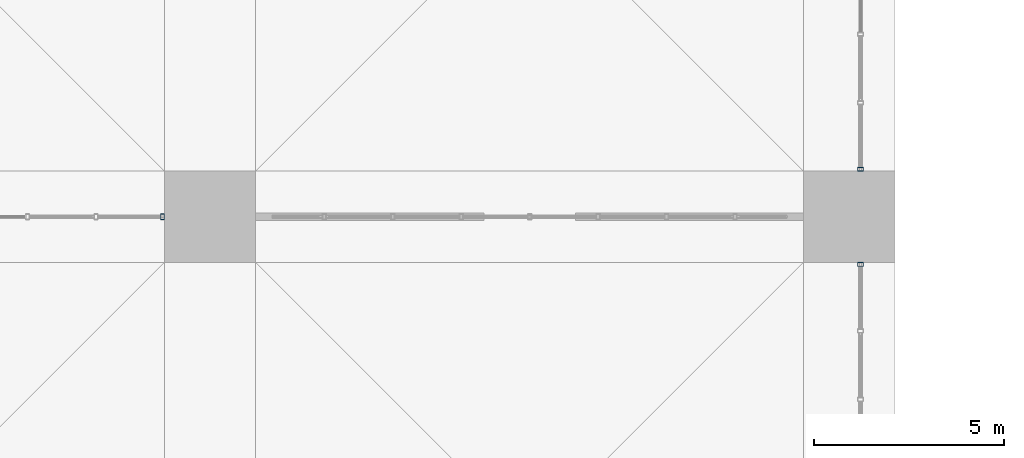
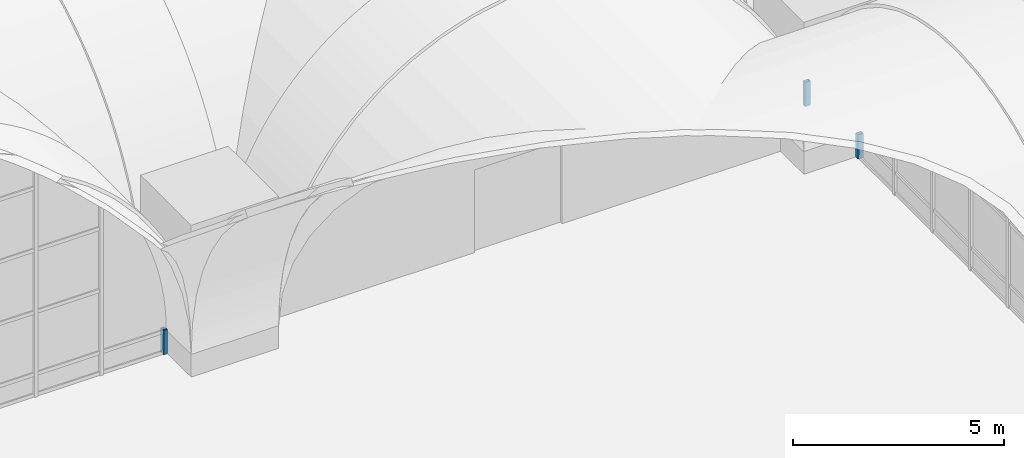
# One storey, part 73 of 169: 3 members, 3 elements without a shape of their own.
"""IFC4 building model written with IfcOpenShell, lengths in metres."""

from ifc_helpers import new_model, si_unit, direction, frame, origin, origin_2d, place, context, subcontext, project, spatial, hollow_rectangle, extrude, material, layer, layer_set, material_profile, profile_set, type_object, element, aggregate, save


model = new_model("IFC4")

# Units and contexts
model_context = context("Model", 3, precision=1e-05, world=origin(), true_north=direction((0.0, 1.0)))
body_context = subcontext(model_context, "Body", "Model", "MODEL_VIEW")
ifc_project = project(units=[si_unit("LENGTHUNIT", "METRE"), si_unit("AREAUNIT", "SQUARE_METRE"), si_unit("VOLUMEUNIT", "CUBIC_METRE"), si_unit("PLANEANGLEUNIT", "RADIAN"), si_unit("MASSUNIT", "GRAM", prefix="KILO")], contexts=[model_context])

# Site, building, storey
site_placement = place(None, origin())
site = spatial("IfcSite", under=ifc_project, at=site_placement, CompositionType="ELEMENT")
building_placement = place(site_placement, origin())
building = spatial("IfcBuilding", under=site, at=building_placement, Name="Verrick Yard Athletic Hall", CompositionType="ELEMENT")
storey_placement = place(building_placement, frame((0.0, 0.0, 4.39990234375)))
storey = spatial("IfcBuildingStorey", under=building, at=storey_placement, Name="L01", CompositionType="ELEMENT", Elevation=4.39990234375)

# Curtain wall, member
ifc_material_1 = material(Name="Aluminium and glass curtain wall", Category="aluminium")
ifc_layer_1 = layer(ifc_material_1, 0.14990234375)
ifc_layer_set_1 = layer_set([ifc_layer_1], Name="Concourse arch screen")
curtain_wall_type_1 = type_object("IfcCurtainWallType", Name="Concourse arch screen", PredefinedType="NOTDEFINED", material=ifc_layer_set_1)
curtain_wall_1_placement = place(storey_placement, origin())
curtain_wall_1 = element("IfcCurtainWall", 1, at=curtain_wall_1_placement, inside=storey, type_object=curtain_wall_type_1, Name="Concourse screen 6", PredefinedType="NOTDEFINED")
ifc_material_2 = material(Name="Structural steel HSS Class C 350W (CSA G40.20/G40.21)", Category="steel")
ifc_material_profile = material_profile(ifc_material_2, hollow_rectangle(XDim=0.1015625, YDim=0.15234375, WallThickness=0.008056640625, at=origin_2d()), Name="HSS152x102x7.9")
ifc_profile_set = profile_set([ifc_material_profile], Name="Structural steel HSS Class C 350W (CSA G40.20/G40.21)")
member_type = type_object("IfcMemberType", Name="Curtain wall mullion HSS152x102x7.9", PredefinedType="MULLION", material=ifc_profile_set)
member_1_placement = place(storey_placement, frame((139.548583984375, 36.0, 0.0), z_axis=(0.0, 0.0, 1.0), x_axis=(1.0, 0.0, 0.0)))
member_1 = element("IfcMember", 2, at=member_1_placement, type_object=member_type, Name="Concourse screen 6 mullion 9", PredefinedType="MULLION", context=body_context, shape_type="SweptSolid", body=[
    extrude(hollow_rectangle(XDim=0.1015625, YDim=0.15234375, WallThickness=0.008056640625, at=origin_2d()), origin(), (0.0, 0.0, 1.0), 0.700927734375),
])
aggregate(curtain_wall_1, [member_1])

ifc_layer_2 = layer(ifc_material_1, 0.14990234375)
ifc_layer_set_2 = layer_set([ifc_layer_2], Name="East end glazing arch")
curtain_wall_type_2 = type_object("IfcCurtainWallType", Name="East end glazing arch", PredefinedType="NOTDEFINED", material=ifc_layer_set_2)
curtain_wall_2_placement = place(storey_placement, origin())
curtain_wall_2 = element("IfcCurtainWall", 3, at=curtain_wall_2_placement, inside=storey, type_object=curtain_wall_type_2, Name="East end glazing 1", PredefinedType="NOTDEFINED")
member_2_placement = place(storey_placement, frame((157.89990234375, 34.748779296875, 0.0), z_axis=(0.0, 0.0, 1.0), x_axis=(0.0, 1.0, 0.0)))
member_2 = element("IfcMember", 4, at=member_2_placement, type_object=member_type, Name="East end glazing 1 mullion 9", PredefinedType="MULLION", context=body_context, shape_type="SweptSolid", body=[
    extrude(hollow_rectangle(XDim=0.1015625, YDim=0.15234375, WallThickness=0.008056640625, at=origin_2d()), origin(), (0.0, 0.0, 1.0), 0.700927734375),
])
aggregate(curtain_wall_2, [member_2])

curtain_wall_3_placement = place(storey_placement, origin())
curtain_wall_3 = element("IfcCurtainWall", 5, at=curtain_wall_3_placement, inside=storey, type_object=curtain_wall_type_2, Name="East end glazing 2", PredefinedType="NOTDEFINED")
member_3_placement = place(storey_placement, frame((157.89990234375, 37.251220703125, 0.0), z_axis=(0.0, 0.0, 1.0), x_axis=(0.0, 1.0, 0.0)))
member_3 = element("IfcMember", 6, at=member_3_placement, type_object=member_type, Name="East end glazing 2 mullion 1", PredefinedType="MULLION", context=body_context, shape_type="SweptSolid", body=[
    extrude(hollow_rectangle(XDim=0.1015625, YDim=0.15234375, WallThickness=0.008056640625, at=origin_2d()), origin(), (0.0, 0.0, 1.0), 0.700927734375),
])
aggregate(curtain_wall_3, [member_3])

save(model, "model.ifc")
